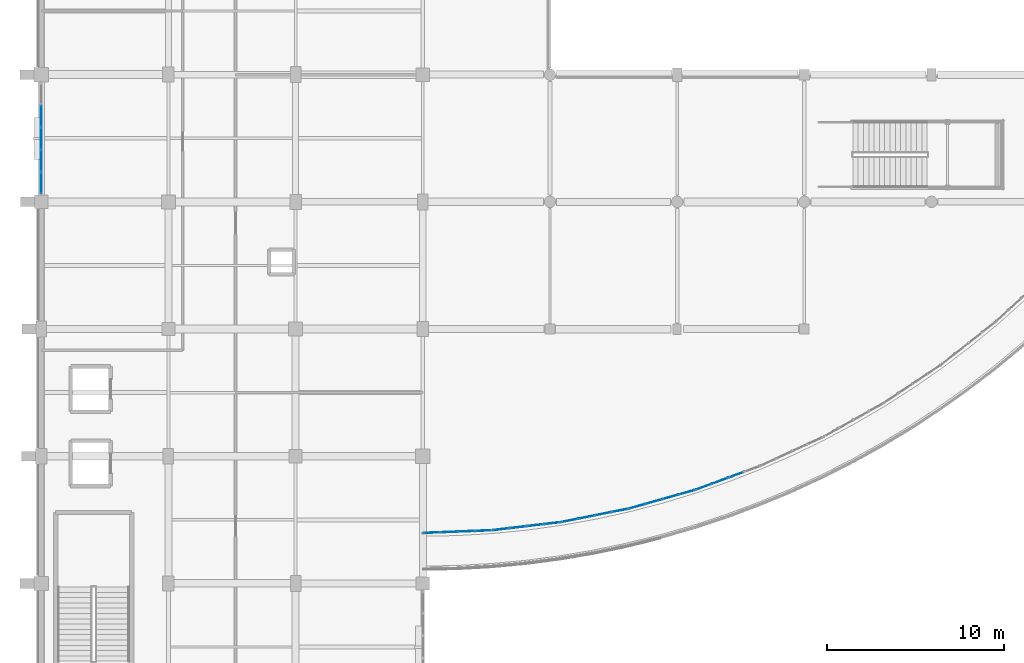
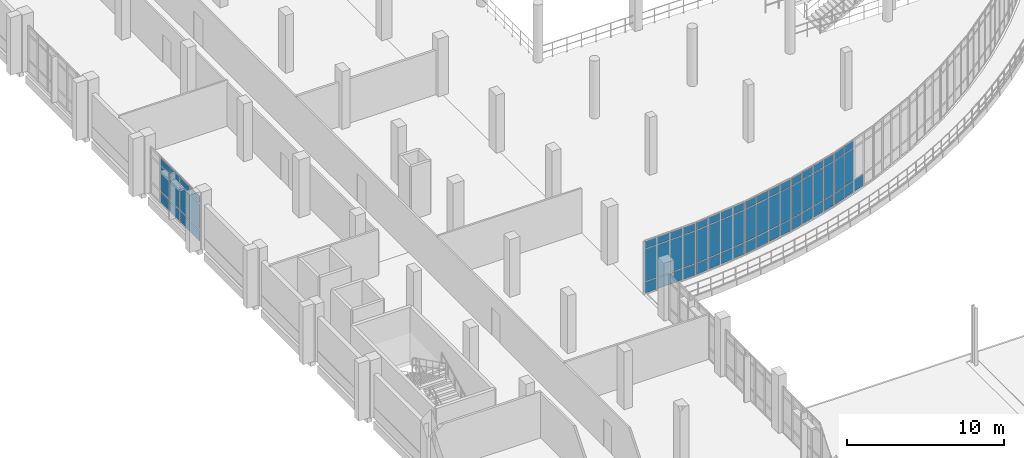
# One storey, part 94 of 134: 67 plates, 6 elements without a shape of their own.
"""IFC4 building model written with IfcOpenShell, lengths in metres."""

from ifc_helpers import new_model, si_unit, direction, frame, origin, origin_2d, place, context, subcontext, project, spatial, rectangle, extrude, material, layer, layer_set, type_object, element, aggregate, save


model = new_model("IFC4")

# Units and contexts
model_context = context("Model", 3, precision=1e-05, world=origin(), true_north=direction((0.0, 1.0)))
body_context = subcontext(model_context, "Body", "Model", "MODEL_VIEW")
ifc_project = project(units=[si_unit("LENGTHUNIT", "METRE"), si_unit("AREAUNIT", "SQUARE_METRE"), si_unit("VOLUMEUNIT", "CUBIC_METRE"), si_unit("PLANEANGLEUNIT", "RADIAN"), si_unit("MASSUNIT", "GRAM", prefix="KILO")], contexts=[model_context])

# Site, building, storey
site_placement = place(None, origin())
site = spatial("IfcSite", under=ifc_project, at=site_placement, CompositionType="ELEMENT")
building_placement = place(site_placement, origin())
building = spatial("IfcBuilding", under=site, at=building_placement, Name="Kalluvel Institute of Natural Sciences", CompositionType="ELEMENT")
storey_placement = place(building_placement, frame((0.0, 0.0, 5.39990234375)))
storey = spatial("IfcBuildingStorey", under=building, at=storey_placement, Name="L01", CompositionType="ELEMENT", Elevation=5.39990234375)

# Curtain wall, plates
ifc_material_1 = material(Name="Aluminium AW-6063 T6", Category="aluminium")
curtain_wall_type_1 = type_object("IfcCurtainWallType", Name="CW-DRY-45", PredefinedType="USERDEFINED", material=ifc_material_1)
curtain_wall_1_placement = place(storey_placement, origin())
curtain_wall_1 = element("IfcCurtainWall", 1, at=curtain_wall_1_placement, inside=storey, type_object=curtain_wall_type_1, Name="L01 Gothic lancet curtain wall CWA-L01-X140-Y720", ObjectType="UNITISED LANCET FACADE", PredefinedType="USERDEFINED")
ifc_material_2 = material(Name="Solar-Control Low-E Laminated Glass", Category="glass")
ifc_layer_1 = layer(ifc_material_2, 0.031982421875)
ifc_layer_set_1 = layer_set([ifc_layer_1], Name="Solar-Control Low-E Laminated Glass")
plate_type_1 = type_object("IfcPlateType", Name="CWP-DGU-32", PredefinedType="CURTAIN_PANEL", material=ifc_layer_set_1)
plate_1_placement = place(storey_placement, frame((14.0, 72.673828125, 0.065185546875), z_axis=(0.0, 0.0, 1.0), x_axis=(0.0, 1.0, 0.0)))
plate_1 = element("IfcPlate", 2, at=plate_1_placement, type_object=plate_type_1, Name="CW-03 panel 1.1", PredefinedType="CURTAIN_PANEL", context=body_context, shape_type="SweptSolid", body=[
    extrude(rectangle(XDim=1.16748046875, YDim=0.031982421875, at=origin_2d()), origin(), (0.0, 0.0, 1.0), 0.8525390625),
])
plate_2_placement = place(storey_placement, frame((14.0, 72.673828125, 0.982666015625), z_axis=(0.0, 0.0, 1.0), x_axis=(0.0, 1.0, 0.0)))
plate_2 = element("IfcPlate", 3, at=plate_2_placement, type_object=plate_type_1, Name="CW-03 panel 1.2", PredefinedType="CURTAIN_PANEL", context=body_context, shape_type="SweptSolid", body=[
    extrude(rectangle(XDim=1.16748046875, YDim=0.031982421875, at=origin_2d()), origin(), (0.0, 0.0, 1.0), 1.955078125),
])
plate_3_placement = place(storey_placement, frame((14.0, 72.673828125, 3.00244140625), z_axis=(0.0, 0.0, 1.0), x_axis=(0.0, 1.0, 0.0)))
plate_3 = element("IfcPlate", 4, at=plate_3_placement, type_object=plate_type_1, Name="CW-03 panel 1.3", PredefinedType="CURTAIN_PANEL", context=body_context, shape_type="SweptSolid", body=[
    extrude(rectangle(XDim=1.16748046875, YDim=0.031982421875, at=origin_2d()), origin(), (0.0, 0.0, 1.0), 0.552490234375),
])
plate_4_placement = place(storey_placement, frame((14.0, 73.922607421875, 0.065185546875), z_axis=(0.0, 0.0, 1.0), x_axis=(0.0, 1.0, 0.0)))
plate_4 = element("IfcPlate", 5, at=plate_4_placement, type_object=plate_type_1, Name="CW-03 panel 2.1", PredefinedType="CURTAIN_PANEL", context=body_context, shape_type="SweptSolid", body=[
    extrude(rectangle(XDim=1.199951171875, YDim=0.031982421875, at=origin_2d()), origin(), (0.0, 0.0, 1.0), 0.8525390625),
])
plate_5_placement = place(storey_placement, frame((14.0, 73.922607421875, 0.982666015625), z_axis=(0.0, 0.0, 1.0), x_axis=(0.0, 1.0, 0.0)))
plate_5 = element("IfcPlate", 6, at=plate_5_placement, type_object=plate_type_1, Name="CW-03 panel 2.2", PredefinedType="CURTAIN_PANEL", context=body_context, shape_type="SweptSolid", body=[
    extrude(rectangle(XDim=1.199951171875, YDim=0.031982421875, at=origin_2d()), origin(), (0.0, 0.0, 1.0), 1.955078125),
])
plate_6_placement = place(storey_placement, frame((14.0, 73.922607421875, 3.00244140625), z_axis=(0.0, 0.0, 1.0), x_axis=(0.0, 1.0, 0.0)))
plate_6 = element("IfcPlate", 7, at=plate_6_placement, type_object=plate_type_1, Name="CW-03 panel 2.3", PredefinedType="CURTAIN_PANEL", context=body_context, shape_type="SweptSolid", body=[
    extrude(rectangle(XDim=1.199951171875, YDim=0.031982421875, at=origin_2d()), origin(), (0.0, 0.0, 1.0), 0.552490234375),
])
plate_7_placement = place(storey_placement, frame((14.0, 75.1875, 0.065185546875), z_axis=(0.0, 0.0, 1.0), x_axis=(0.0, 1.0, 0.0)))
plate_7 = element("IfcPlate", 8, at=plate_7_placement, type_object=plate_type_1, Name="CW-03 panel 3.1", PredefinedType="CURTAIN_PANEL", context=body_context, shape_type="SweptSolid", body=[
    extrude(rectangle(XDim=1.199951171875, YDim=0.031982421875, at=origin_2d()), origin(), (0.0, 0.0, 1.0), 0.8525390625),
])
plate_8_placement = place(storey_placement, frame((14.0, 75.1875, 0.982666015625), z_axis=(0.0, 0.0, 1.0), x_axis=(0.0, 1.0, 0.0)))
plate_8 = element("IfcPlate", 9, at=plate_8_placement, type_object=plate_type_1, Name="CW-03 panel 3.2", PredefinedType="CURTAIN_PANEL", context=body_context, shape_type="SweptSolid", body=[
    extrude(rectangle(XDim=1.199951171875, YDim=0.031982421875, at=origin_2d()), origin(), (0.0, 0.0, 1.0), 1.955078125),
])
plate_9_placement = place(storey_placement, frame((14.0, 75.1875, 3.00244140625), z_axis=(0.0, 0.0, 1.0), x_axis=(0.0, 1.0, 0.0)))
plate_9 = element("IfcPlate", 10, at=plate_9_placement, type_object=plate_type_1, Name="CW-03 panel 3.3", PredefinedType="CURTAIN_PANEL", context=body_context, shape_type="SweptSolid", body=[
    extrude(rectangle(XDim=1.199951171875, YDim=0.031982421875, at=origin_2d()), origin(), (0.0, 0.0, 1.0), 0.552490234375),
])
plate_10_placement = place(storey_placement, frame((14.0, 76.452392578125, 0.065185546875), z_axis=(0.0, 0.0, 1.0), x_axis=(0.0, 1.0, 0.0)))
plate_10 = element("IfcPlate", 11, at=plate_10_placement, type_object=plate_type_1, Name="CW-03 panel 4.1", PredefinedType="CURTAIN_PANEL", context=body_context, shape_type="SweptSolid", body=[
    extrude(rectangle(XDim=1.199951171875, YDim=0.031982421875, at=origin_2d()), origin(), (0.0, 0.0, 1.0), 0.8525390625),
])
plate_11_placement = place(storey_placement, frame((14.0, 76.452392578125, 0.982666015625), z_axis=(0.0, 0.0, 1.0), x_axis=(0.0, 1.0, 0.0)))
plate_11 = element("IfcPlate", 12, at=plate_11_placement, type_object=plate_type_1, Name="CW-03 panel 4.2", PredefinedType="CURTAIN_PANEL", context=body_context, shape_type="SweptSolid", body=[
    extrude(rectangle(XDim=1.199951171875, YDim=0.031982421875, at=origin_2d()), origin(), (0.0, 0.0, 1.0), 1.955078125),
])
plate_12_placement = place(storey_placement, frame((14.0, 76.452392578125, 3.00244140625), z_axis=(0.0, 0.0, 1.0), x_axis=(0.0, 1.0, 0.0)))
plate_12 = element("IfcPlate", 13, at=plate_12_placement, type_object=plate_type_1, Name="CW-03 panel 4.3", PredefinedType="CURTAIN_PANEL", context=body_context, shape_type="SweptSolid", body=[
    extrude(rectangle(XDim=1.199951171875, YDim=0.031982421875, at=origin_2d()), origin(), (0.0, 0.0, 1.0), 0.552490234375),
])
aggregate(curtain_wall_1, [plate_1, plate_2, plate_3, plate_4, plate_5, plate_6, plate_7, plate_8, plate_9, plate_10, plate_11, plate_12])

curtain_wall_type_2 = type_object("IfcCurtainWallType", Name="CW-ATR-ARC", PredefinedType="USERDEFINED", material=ifc_material_1)
curtain_wall_2_placement = place(storey_placement, origin())
curtain_wall_2 = element("IfcCurtainWall", 14, at=curtain_wall_2_placement, inside=storey, type_object=curtain_wall_type_2, Name="L01 Gothic lancet curtain wall CWA-L01-X356-Y528", ObjectType="UNITISED LANCET FACADE", PredefinedType="USERDEFINED")
ifc_layer_2 = layer(ifc_material_2, 0.035888671875)
ifc_layer_set_2 = layer_set([ifc_layer_2], Name="Solar-Control Low-E Laminated Glass")
plate_type_2 = type_object("IfcPlateType", Name="CWP-DGU-36", PredefinedType="CURTAIN_PANEL", material=ifc_layer_set_2)
plate_13_placement = place(storey_placement, frame((36.10498046875, 52.869873046875, 0.06005859375), z_axis=(0.0, 0.0, 1.0), x_axis=(0.999228815466, 0.039265434438, 0.0)))
plate_13 = element("IfcPlate", 15, at=plate_13_placement, type_object=plate_type_2, Name="CW-05 panel 1.1", PredefinedType="CURTAIN_PANEL", context=body_context, shape_type="SweptSolid", body=[
    extrude(rectangle(XDim=0.890625, YDim=0.035888671875, at=origin_2d()), origin(), (0.0, 0.0, 1.0), 0.860107421875),
])
plate_14_placement = place(storey_placement, frame((36.10498046875, 52.869873046875, 0.97998046875), z_axis=(0.0, 0.0, 1.0), x_axis=(0.999228815466, 0.039265434438, 0.0)))
plate_14 = element("IfcPlate", 16, at=plate_14_placement, type_object=plate_type_2, Name="CW-05 panel 1.2", PredefinedType="CURTAIN_PANEL", context=body_context, shape_type="SweptSolid", body=[
    extrude(rectangle(XDim=0.890625, YDim=0.035888671875, at=origin_2d()), origin(), (0.0, 0.0, 1.0), 2.489990234375),
])
plate_15_placement = place(storey_placement, frame((36.10498046875, 52.869873046875, 3.530029296875), z_axis=(0.0, 0.0, 1.0), x_axis=(0.999228815466, 0.039265434438, 0.0)))
plate_15 = element("IfcPlate", 17, at=plate_15_placement, type_object=plate_type_2, Name="CW-05 panel 1.3", PredefinedType="CURTAIN_PANEL", context=body_context, shape_type="SweptSolid", body=[
    extrude(rectangle(XDim=0.890625, YDim=0.035888671875, at=origin_2d()), origin(), (0.0, 0.0, 1.0), 0.56005859375),
])
plate_16_placement = place(storey_placement, frame((37.069580078125, 52.90771484375, 0.06005859375), z_axis=(0.0, 0.0, 1.0), x_axis=(0.999228815466, 0.039265434438, 0.0)))
plate_16 = element("IfcPlate", 18, at=plate_16_placement, type_object=plate_type_2, Name="CW-05 panel 2.1", PredefinedType="CURTAIN_PANEL", context=body_context, shape_type="SweptSolid", body=[
    extrude(rectangle(XDim=0.92041015625, YDim=0.035888671875, at=origin_2d()), origin(), (0.0, 0.0, 1.0), 0.860107421875),
])
plate_17_placement = place(storey_placement, frame((37.069580078125, 52.90771484375, 0.97998046875), z_axis=(0.0, 0.0, 1.0), x_axis=(0.999228815466, 0.039265434438, 0.0)))
plate_17 = element("IfcPlate", 19, at=plate_17_placement, type_object=plate_type_2, Name="CW-05 panel 2.2", PredefinedType="CURTAIN_PANEL", context=body_context, shape_type="SweptSolid", body=[
    extrude(rectangle(XDim=0.92041015625, YDim=0.035888671875, at=origin_2d()), origin(), (0.0, 0.0, 1.0), 2.489990234375),
])
plate_18_placement = place(storey_placement, frame((37.069580078125, 52.90771484375, 3.530029296875), z_axis=(0.0, 0.0, 1.0), x_axis=(0.999228815466, 0.039265434438, 0.0)))
plate_18 = element("IfcPlate", 20, at=plate_18_placement, type_object=plate_type_2, Name="CW-05 panel 2.3", PredefinedType="CURTAIN_PANEL", context=body_context, shape_type="SweptSolid", body=[
    extrude(rectangle(XDim=0.92041015625, YDim=0.035888671875, at=origin_2d()), origin(), (0.0, 0.0, 1.0), 0.56005859375),
])
plate_19_placement = place(storey_placement, frame((38.04931640625, 52.9462890625, 0.06005859375), z_axis=(0.0, 0.0, 1.0), x_axis=(0.999228815466, 0.039265434438, 0.0)))
plate_19 = element("IfcPlate", 21, at=plate_19_placement, type_object=plate_type_2, Name="CW-05 panel 3.1", PredefinedType="CURTAIN_PANEL", context=body_context, shape_type="SweptSolid", body=[
    extrude(rectangle(XDim=0.92041015625, YDim=0.035888671875, at=origin_2d()), origin(), (0.0, 0.0, 1.0), 0.860107421875),
])
plate_20_placement = place(storey_placement, frame((38.04931640625, 52.9462890625, 0.97998046875), z_axis=(0.0, 0.0, 1.0), x_axis=(0.999228815466, 0.039265434438, 0.0)))
plate_20 = element("IfcPlate", 22, at=plate_20_placement, type_object=plate_type_2, Name="CW-05 panel 3.2", PredefinedType="CURTAIN_PANEL", context=body_context, shape_type="SweptSolid", body=[
    extrude(rectangle(XDim=0.92041015625, YDim=0.035888671875, at=origin_2d()), origin(), (0.0, 0.0, 1.0), 2.489990234375),
])
plate_21_placement = place(storey_placement, frame((38.04931640625, 52.9462890625, 3.530029296875), z_axis=(0.0, 0.0, 1.0), x_axis=(0.999228815466, 0.039265434438, 0.0)))
plate_21 = element("IfcPlate", 23, at=plate_21_placement, type_object=plate_type_2, Name="CW-05 panel 3.3", PredefinedType="CURTAIN_PANEL", context=body_context, shape_type="SweptSolid", body=[
    extrude(rectangle(XDim=0.92041015625, YDim=0.035888671875, at=origin_2d()), origin(), (0.0, 0.0, 1.0), 0.56005859375),
])
plate_22_placement = place(storey_placement, frame((39.01416015625, 52.984130859375, 0.06005859375), z_axis=(0.0, 0.0, 1.0), x_axis=(0.999228815466, 0.039265434438, 0.0)))
plate_22 = element("IfcPlate", 24, at=plate_22_placement, type_object=plate_type_2, Name="CW-05 panel 4.1", PredefinedType="CURTAIN_PANEL", context=body_context, shape_type="SweptSolid", body=[
    extrude(rectangle(XDim=0.890625, YDim=0.035888671875, at=origin_2d()), origin(), (0.0, 0.0, 1.0), 0.860107421875),
])
plate_23_placement = place(storey_placement, frame((39.01416015625, 52.984130859375, 0.97998046875), z_axis=(0.0, 0.0, 1.0), x_axis=(0.999228815466, 0.039265434438, 0.0)))
plate_23 = element("IfcPlate", 25, at=plate_23_placement, type_object=plate_type_2, Name="CW-05 panel 4.2", PredefinedType="CURTAIN_PANEL", context=body_context, shape_type="SweptSolid", body=[
    extrude(rectangle(XDim=0.890625, YDim=0.035888671875, at=origin_2d()), origin(), (0.0, 0.0, 1.0), 2.489990234375),
])
plate_24_placement = place(storey_placement, frame((39.01416015625, 52.984130859375, 3.530029296875), z_axis=(0.0, 0.0, 1.0), x_axis=(0.999228815466, 0.039265434438, 0.0)))
plate_24 = element("IfcPlate", 26, at=plate_24_placement, type_object=plate_type_2, Name="CW-05 panel 4.3", PredefinedType="CURTAIN_PANEL", context=body_context, shape_type="SweptSolid", body=[
    extrude(rectangle(XDim=0.890625, YDim=0.035888671875, at=origin_2d()), origin(), (0.0, 0.0, 1.0), 0.56005859375),
])
aggregate(curtain_wall_2, [plate_13, plate_14, plate_15, plate_16, plate_17, plate_18, plate_19, plate_20, plate_21, plate_22, plate_23, plate_24])

curtain_wall_3_placement = place(storey_placement, origin())
curtain_wall_3 = element("IfcCurtainWall", 27, at=curtain_wall_3_placement, inside=storey, type_object=curtain_wall_type_2, Name="L01 Gothic lancet curtain wall CWA-L01-X395-Y530", ObjectType="UNITISED LANCET FACADE", PredefinedType="USERDEFINED")
plate_25_placement = place(storey_placement, frame((40.020751953125, 53.0634765625, 0.06005859375), z_axis=(0.0, 0.0, 1.0), x_axis=(0.993068212734, 0.117539460852, 0.0)))
plate_25 = element("IfcPlate", 28, at=plate_25_placement, type_object=plate_type_2, Name="CW-05 panel 1.1", PredefinedType="CURTAIN_PANEL", context=body_context, shape_type="SweptSolid", body=[
    extrude(rectangle(XDim=0.890625, YDim=0.035888671875, at=origin_2d()), origin(), (0.0, 0.0, 1.0), 0.860107421875),
])
plate_26_placement = place(storey_placement, frame((40.020751953125, 53.0634765625, 0.97998046875), z_axis=(0.0, 0.0, 1.0), x_axis=(0.993068212734, 0.117539460852, 0.0)))
plate_26 = element("IfcPlate", 29, at=plate_26_placement, type_object=plate_type_2, Name="CW-05 panel 1.2", PredefinedType="CURTAIN_PANEL", context=body_context, shape_type="SweptSolid", body=[
    extrude(rectangle(XDim=0.890625, YDim=0.035888671875, at=origin_2d()), origin(), (0.0, 0.0, 1.0), 2.489990234375),
])
plate_27_placement = place(storey_placement, frame((40.020751953125, 53.0634765625, 3.530029296875), z_axis=(0.0, 0.0, 1.0), x_axis=(0.993068212734, 0.117539460852, 0.0)))
plate_27 = element("IfcPlate", 30, at=plate_27_placement, type_object=plate_type_2, Name="CW-05 panel 1.3", PredefinedType="CURTAIN_PANEL", context=body_context, shape_type="SweptSolid", body=[
    extrude(rectangle(XDim=0.890625, YDim=0.035888671875, at=origin_2d()), origin(), (0.0, 0.0, 1.0), 0.56005859375),
])
plate_28_placement = place(storey_placement, frame((40.9794921875, 53.1767578125, 0.06005859375), z_axis=(0.0, 0.0, 1.0), x_axis=(0.993068212734, 0.117539460852, 0.0)))
plate_28 = element("IfcPlate", 31, at=plate_28_placement, type_object=plate_type_2, Name="CW-05 panel 2.1", PredefinedType="CURTAIN_PANEL", context=body_context, shape_type="SweptSolid", body=[
    extrude(rectangle(XDim=0.92041015625, YDim=0.035888671875, at=origin_2d()), origin(), (0.0, 0.0, 1.0), 0.860107421875),
])
plate_29_placement = place(storey_placement, frame((40.9794921875, 53.1767578125, 0.97998046875), z_axis=(0.0, 0.0, 1.0), x_axis=(0.993068212734, 0.117539460852, 0.0)))
plate_29 = element("IfcPlate", 32, at=plate_29_placement, type_object=plate_type_2, Name="CW-05 panel 2.2", PredefinedType="CURTAIN_PANEL", context=body_context, shape_type="SweptSolid", body=[
    extrude(rectangle(XDim=0.92041015625, YDim=0.035888671875, at=origin_2d()), origin(), (0.0, 0.0, 1.0), 2.489990234375),
])
plate_30_placement = place(storey_placement, frame((40.9794921875, 53.1767578125, 3.530029296875), z_axis=(0.0, 0.0, 1.0), x_axis=(0.993068212734, 0.117539460852, 0.0)))
plate_30 = element("IfcPlate", 33, at=plate_30_placement, type_object=plate_type_2, Name="CW-05 panel 2.3", PredefinedType="CURTAIN_PANEL", context=body_context, shape_type="SweptSolid", body=[
    extrude(rectangle(XDim=0.92041015625, YDim=0.035888671875, at=origin_2d()), origin(), (0.0, 0.0, 1.0), 0.56005859375),
])
plate_31_placement = place(storey_placement, frame((41.953369140625, 53.292236328125, 0.06005859375), z_axis=(0.0, 0.0, 1.0), x_axis=(0.993068212734, 0.117539460852, 0.0)))
plate_31 = element("IfcPlate", 34, at=plate_31_placement, type_object=plate_type_2, Name="CW-05 panel 3.1", PredefinedType="CURTAIN_PANEL", context=body_context, shape_type="SweptSolid", body=[
    extrude(rectangle(XDim=0.92041015625, YDim=0.035888671875, at=origin_2d()), origin(), (0.0, 0.0, 1.0), 0.860107421875),
])
plate_32_placement = place(storey_placement, frame((41.953369140625, 53.292236328125, 0.97998046875), z_axis=(0.0, 0.0, 1.0), x_axis=(0.993068212734, 0.117539460852, 0.0)))
plate_32 = element("IfcPlate", 35, at=plate_32_placement, type_object=plate_type_2, Name="CW-05 panel 3.2", PredefinedType="CURTAIN_PANEL", context=body_context, shape_type="SweptSolid", body=[
    extrude(rectangle(XDim=0.92041015625, YDim=0.035888671875, at=origin_2d()), origin(), (0.0, 0.0, 1.0), 2.489990234375),
])
plate_33_placement = place(storey_placement, frame((41.953369140625, 53.292236328125, 3.530029296875), z_axis=(0.0, 0.0, 1.0), x_axis=(0.993068212734, 0.117539460852, 0.0)))
plate_33 = element("IfcPlate", 36, at=plate_33_placement, type_object=plate_type_2, Name="CW-05 panel 3.3", PredefinedType="CURTAIN_PANEL", context=body_context, shape_type="SweptSolid", body=[
    extrude(rectangle(XDim=0.92041015625, YDim=0.035888671875, at=origin_2d()), origin(), (0.0, 0.0, 1.0), 0.56005859375),
])
plate_34_placement = place(storey_placement, frame((42.912109375, 53.405517578125, 0.06005859375), z_axis=(0.0, 0.0, 1.0), x_axis=(0.993068212734, 0.117539460852, 0.0)))
plate_34 = element("IfcPlate", 37, at=plate_34_placement, type_object=plate_type_2, Name="CW-05 panel 4.1", PredefinedType="CURTAIN_PANEL", context=body_context, shape_type="SweptSolid", body=[
    extrude(rectangle(XDim=0.890625, YDim=0.035888671875, at=origin_2d()), origin(), (0.0, 0.0, 1.0), 0.860107421875),
])
plate_35_placement = place(storey_placement, frame((42.912109375, 53.405517578125, 0.97998046875), z_axis=(0.0, 0.0, 1.0), x_axis=(0.993068212734, 0.117539460852, 0.0)))
plate_35 = element("IfcPlate", 38, at=plate_35_placement, type_object=plate_type_2, Name="CW-05 panel 4.2", PredefinedType="CURTAIN_PANEL", context=body_context, shape_type="SweptSolid", body=[
    extrude(rectangle(XDim=0.890625, YDim=0.035888671875, at=origin_2d()), origin(), (0.0, 0.0, 1.0), 2.489990234375),
])
plate_36_placement = place(storey_placement, frame((42.912109375, 53.405517578125, 3.530029296875), z_axis=(0.0, 0.0, 1.0), x_axis=(0.993068212734, 0.117539460852, 0.0)))
plate_36 = element("IfcPlate", 39, at=plate_36_placement, type_object=plate_type_2, Name="CW-05 panel 4.3", PredefinedType="CURTAIN_PANEL", context=body_context, shape_type="SweptSolid", body=[
    extrude(rectangle(XDim=0.890625, YDim=0.035888671875, at=origin_2d()), origin(), (0.0, 0.0, 1.0), 0.56005859375),
])
aggregate(curtain_wall_3, [plate_25, plate_26, plate_27, plate_28, plate_29, plate_30, plate_31, plate_32, plate_33, plate_34, plate_35, plate_36])

curtain_wall_4_placement = place(storey_placement, origin())
curtain_wall_4 = element("IfcCurtainWall", 40, at=curtain_wall_4_placement, inside=storey, type_object=curtain_wall_type_2, Name="L01 Gothic lancet curtain wall CWA-L01-X434-Y535", ObjectType="UNITISED LANCET FACADE", PredefinedType="USERDEFINED")
plate_37_placement = place(storey_placement, frame((43.909423828125, 53.5634765625, 0.06005859375), z_axis=(0.0, 0.0, 1.0), x_axis=(0.980788022263, 0.195076537251, 0.0)))
plate_37 = element("IfcPlate", 41, at=plate_37_placement, type_object=plate_type_2, Name="CW-05 panel 1.1", PredefinedType="CURTAIN_PANEL", context=body_context, shape_type="SweptSolid", body=[
    extrude(rectangle(XDim=0.890625, YDim=0.035888671875, at=origin_2d()), origin(), (0.0, 0.0, 1.0), 0.860107421875),
])
plate_38_placement = place(storey_placement, frame((43.909423828125, 53.5634765625, 0.97998046875), z_axis=(0.0, 0.0, 1.0), x_axis=(0.980788022263, 0.195076537251, 0.0)))
plate_38 = element("IfcPlate", 42, at=plate_38_placement, type_object=plate_type_2, Name="CW-05 panel 1.2", PredefinedType="CURTAIN_PANEL", context=body_context, shape_type="SweptSolid", body=[
    extrude(rectangle(XDim=0.890625, YDim=0.035888671875, at=origin_2d()), origin(), (0.0, 0.0, 1.0), 2.489990234375),
])
plate_39_placement = place(storey_placement, frame((43.909423828125, 53.5634765625, 3.530029296875), z_axis=(0.0, 0.0, 1.0), x_axis=(0.980788022263, 0.195076537251, 0.0)))
plate_39 = element("IfcPlate", 43, at=plate_39_placement, type_object=plate_type_2, Name="CW-05 panel 1.3", PredefinedType="CURTAIN_PANEL", context=body_context, shape_type="SweptSolid", body=[
    extrude(rectangle(XDim=0.890625, YDim=0.035888671875, at=origin_2d()), origin(), (0.0, 0.0, 1.0), 0.56005859375),
])
plate_40_placement = place(storey_placement, frame((44.8564453125, 53.751953125, 0.06005859375), z_axis=(0.0, 0.0, 1.0), x_axis=(0.980788022263, 0.195076537251, 0.0)))
plate_40 = element("IfcPlate", 44, at=plate_40_placement, type_object=plate_type_2, Name="CW-05 panel 2.1", PredefinedType="CURTAIN_PANEL", context=body_context, shape_type="SweptSolid", body=[
    extrude(rectangle(XDim=0.92041015625, YDim=0.035888671875, at=origin_2d()), origin(), (0.0, 0.0, 1.0), 0.860107421875),
])
plate_41_placement = place(storey_placement, frame((44.8564453125, 53.751953125, 0.97998046875), z_axis=(0.0, 0.0, 1.0), x_axis=(0.980788022263, 0.195076537251, 0.0)))
plate_41 = element("IfcPlate", 45, at=plate_41_placement, type_object=plate_type_2, Name="CW-05 panel 2.2", PredefinedType="CURTAIN_PANEL", context=body_context, shape_type="SweptSolid", body=[
    extrude(rectangle(XDim=0.92041015625, YDim=0.035888671875, at=origin_2d()), origin(), (0.0, 0.0, 1.0), 2.489990234375),
])
plate_42_placement = place(storey_placement, frame((44.8564453125, 53.751953125, 3.530029296875), z_axis=(0.0, 0.0, 1.0), x_axis=(0.980788022263, 0.195076537251, 0.0)))
plate_42 = element("IfcPlate", 46, at=plate_42_placement, type_object=plate_type_2, Name="CW-05 panel 2.3", PredefinedType="CURTAIN_PANEL", context=body_context, shape_type="SweptSolid", body=[
    extrude(rectangle(XDim=0.92041015625, YDim=0.035888671875, at=origin_2d()), origin(), (0.0, 0.0, 1.0), 0.56005859375),
])
plate_43_placement = place(storey_placement, frame((45.818115234375, 53.943115234375, 0.06005859375), z_axis=(0.0, 0.0, 1.0), x_axis=(0.980788022263, 0.195076537251, 0.0)))
plate_43 = element("IfcPlate", 47, at=plate_43_placement, type_object=plate_type_2, Name="CW-05 panel 3.1", PredefinedType="CURTAIN_PANEL", context=body_context, shape_type="SweptSolid", body=[
    extrude(rectangle(XDim=0.92041015625, YDim=0.035888671875, at=origin_2d()), origin(), (0.0, 0.0, 1.0), 0.860107421875),
])
plate_44_placement = place(storey_placement, frame((45.818115234375, 53.943115234375, 0.97998046875), z_axis=(0.0, 0.0, 1.0), x_axis=(0.980788022263, 0.195076537251, 0.0)))
plate_44 = element("IfcPlate", 48, at=plate_44_placement, type_object=plate_type_2, Name="CW-05 panel 3.2", PredefinedType="CURTAIN_PANEL", context=body_context, shape_type="SweptSolid", body=[
    extrude(rectangle(XDim=0.92041015625, YDim=0.035888671875, at=origin_2d()), origin(), (0.0, 0.0, 1.0), 2.489990234375),
])
plate_45_placement = place(storey_placement, frame((45.818115234375, 53.943115234375, 3.530029296875), z_axis=(0.0, 0.0, 1.0), x_axis=(0.980788022263, 0.195076537251, 0.0)))
plate_45 = element("IfcPlate", 49, at=plate_45_placement, type_object=plate_type_2, Name="CW-05 panel 3.3", PredefinedType="CURTAIN_PANEL", context=body_context, shape_type="SweptSolid", body=[
    extrude(rectangle(XDim=0.92041015625, YDim=0.035888671875, at=origin_2d()), origin(), (0.0, 0.0, 1.0), 0.56005859375),
])
plate_46_placement = place(storey_placement, frame((46.76513671875, 54.131591796875, 0.06005859375), z_axis=(0.0, 0.0, 1.0), x_axis=(0.980788022263, 0.195076537251, 0.0)))
plate_46 = element("IfcPlate", 50, at=plate_46_placement, type_object=plate_type_2, Name="CW-05 panel 4.1", PredefinedType="CURTAIN_PANEL", context=body_context, shape_type="SweptSolid", body=[
    extrude(rectangle(XDim=0.890625, YDim=0.035888671875, at=origin_2d()), origin(), (0.0, 0.0, 1.0), 0.860107421875),
])
plate_47_placement = place(storey_placement, frame((46.76513671875, 54.131591796875, 0.97998046875), z_axis=(0.0, 0.0, 1.0), x_axis=(0.980788022263, 0.195076537251, 0.0)))
plate_47 = element("IfcPlate", 51, at=plate_47_placement, type_object=plate_type_2, Name="CW-05 panel 4.2", PredefinedType="CURTAIN_PANEL", context=body_context, shape_type="SweptSolid", body=[
    extrude(rectangle(XDim=0.890625, YDim=0.035888671875, at=origin_2d()), origin(), (0.0, 0.0, 1.0), 2.489990234375),
])
plate_48_placement = place(storey_placement, frame((46.76513671875, 54.131591796875, 3.530029296875), z_axis=(0.0, 0.0, 1.0), x_axis=(0.980788022263, 0.195076537251, 0.0)))
plate_48 = element("IfcPlate", 52, at=plate_48_placement, type_object=plate_type_2, Name="CW-05 panel 4.3", PredefinedType="CURTAIN_PANEL", context=body_context, shape_type="SweptSolid", body=[
    extrude(rectangle(XDim=0.890625, YDim=0.035888671875, at=origin_2d()), origin(), (0.0, 0.0, 1.0), 0.56005859375),
])
aggregate(curtain_wall_4, [plate_37, plate_38, plate_39, plate_40, plate_41, plate_42, plate_43, plate_44, plate_45, plate_46, plate_47, plate_48])

curtain_wall_5_placement = place(storey_placement, origin())
curtain_wall_5 = element("IfcCurtainWall", 53, at=curtain_wall_5_placement, inside=storey, type_object=curtain_wall_type_2, Name="L01 Gothic lancet curtain wall CWA-L01-X473-Y542", ObjectType="UNITISED LANCET FACADE", PredefinedType="USERDEFINED")
plate_49_placement = place(storey_placement, frame((47.746826171875, 54.3671875, 0.06005859375), z_axis=(0.0, 0.0, 1.0), x_axis=(0.962455483212, 0.271439574924, 0.0)))
plate_49 = element("IfcPlate", 54, at=plate_49_placement, type_object=plate_type_2, Name="CW-05 panel 1.1", PredefinedType="CURTAIN_PANEL", context=body_context, shape_type="SweptSolid", body=[
    extrude(rectangle(XDim=0.890625, YDim=0.035888671875, at=origin_2d()), origin(), (0.0, 0.0, 1.0), 0.860107421875),
])
plate_50_placement = place(storey_placement, frame((47.746826171875, 54.3671875, 0.97998046875), z_axis=(0.0, 0.0, 1.0), x_axis=(0.962455483212, 0.271439574924, 0.0)))
plate_50 = element("IfcPlate", 55, at=plate_50_placement, type_object=plate_type_2, Name="CW-05 panel 1.2", PredefinedType="CURTAIN_PANEL", context=body_context, shape_type="SweptSolid", body=[
    extrude(rectangle(XDim=0.890625, YDim=0.035888671875, at=origin_2d()), origin(), (0.0, 0.0, 1.0), 2.489990234375),
])
plate_51_placement = place(storey_placement, frame((47.746826171875, 54.3671875, 3.530029296875), z_axis=(0.0, 0.0, 1.0), x_axis=(0.962455483212, 0.271439574924, 0.0)))
plate_51 = element("IfcPlate", 56, at=plate_51_placement, type_object=plate_type_2, Name="CW-05 panel 1.3", PredefinedType="CURTAIN_PANEL", context=body_context, shape_type="SweptSolid", body=[
    extrude(rectangle(XDim=0.890625, YDim=0.035888671875, at=origin_2d()), origin(), (0.0, 0.0, 1.0), 0.56005859375),
])
plate_52_placement = place(storey_placement, frame((48.67626953125, 54.62939453125, 0.06005859375), z_axis=(0.0, 0.0, 1.0), x_axis=(0.962455483212, 0.271439574924, 0.0)))
plate_52 = element("IfcPlate", 57, at=plate_52_placement, type_object=plate_type_2, Name="CW-05 panel 2.1", PredefinedType="CURTAIN_PANEL", context=body_context, shape_type="SweptSolid", body=[
    extrude(rectangle(XDim=0.92041015625, YDim=0.035888671875, at=origin_2d()), origin(), (0.0, 0.0, 1.0), 0.860107421875),
])
plate_53_placement = place(storey_placement, frame((48.67626953125, 54.62939453125, 0.97998046875), z_axis=(0.0, 0.0, 1.0), x_axis=(0.962455483212, 0.271439574924, 0.0)))
plate_53 = element("IfcPlate", 58, at=plate_53_placement, type_object=plate_type_2, Name="CW-05 panel 2.2", PredefinedType="CURTAIN_PANEL", context=body_context, shape_type="SweptSolid", body=[
    extrude(rectangle(XDim=0.92041015625, YDim=0.035888671875, at=origin_2d()), origin(), (0.0, 0.0, 1.0), 2.489990234375),
])
plate_54_placement = place(storey_placement, frame((48.67626953125, 54.62939453125, 3.530029296875), z_axis=(0.0, 0.0, 1.0), x_axis=(0.962455483212, 0.271439574924, 0.0)))
plate_54 = element("IfcPlate", 59, at=plate_54_placement, type_object=plate_type_2, Name="CW-05 panel 2.3", PredefinedType="CURTAIN_PANEL", context=body_context, shape_type="SweptSolid", body=[
    extrude(rectangle(XDim=0.92041015625, YDim=0.035888671875, at=origin_2d()), origin(), (0.0, 0.0, 1.0), 0.56005859375),
])
plate_55_placement = place(storey_placement, frame((49.619873046875, 54.8955078125, 0.06005859375), z_axis=(0.0, 0.0, 1.0), x_axis=(0.962455483212, 0.271439574924, 0.0)))
plate_55 = element("IfcPlate", 60, at=plate_55_placement, type_object=plate_type_2, Name="CW-05 panel 3.1", PredefinedType="CURTAIN_PANEL", context=body_context, shape_type="SweptSolid", body=[
    extrude(rectangle(XDim=0.92041015625, YDim=0.035888671875, at=origin_2d()), origin(), (0.0, 0.0, 1.0), 0.860107421875),
])
plate_56_placement = place(storey_placement, frame((49.619873046875, 54.8955078125, 0.97998046875), z_axis=(0.0, 0.0, 1.0), x_axis=(0.962455483212, 0.271439574924, 0.0)))
plate_56 = element("IfcPlate", 61, at=plate_56_placement, type_object=plate_type_2, Name="CW-05 panel 3.2", PredefinedType="CURTAIN_PANEL", context=body_context, shape_type="SweptSolid", body=[
    extrude(rectangle(XDim=0.92041015625, YDim=0.035888671875, at=origin_2d()), origin(), (0.0, 0.0, 1.0), 2.489990234375),
])
plate_57_placement = place(storey_placement, frame((49.619873046875, 54.8955078125, 3.530029296875), z_axis=(0.0, 0.0, 1.0), x_axis=(0.962455483212, 0.271439574924, 0.0)))
plate_57 = element("IfcPlate", 62, at=plate_57_placement, type_object=plate_type_2, Name="CW-05 panel 3.3", PredefinedType="CURTAIN_PANEL", context=body_context, shape_type="SweptSolid", body=[
    extrude(rectangle(XDim=0.92041015625, YDim=0.035888671875, at=origin_2d()), origin(), (0.0, 0.0, 1.0), 0.56005859375),
])
plate_58_placement = place(storey_placement, frame((50.549072265625, 55.157470703125, 0.06005859375), z_axis=(0.0, 0.0, 1.0), x_axis=(0.962455483212, 0.271439574924, 0.0)))
plate_58 = element("IfcPlate", 63, at=plate_58_placement, type_object=plate_type_2, Name="CW-05 panel 4.1", PredefinedType="CURTAIN_PANEL", context=body_context, shape_type="SweptSolid", body=[
    extrude(rectangle(XDim=0.890625, YDim=0.035888671875, at=origin_2d()), origin(), (0.0, 0.0, 1.0), 0.860107421875),
])
plate_59_placement = place(storey_placement, frame((50.549072265625, 55.157470703125, 0.97998046875), z_axis=(0.0, 0.0, 1.0), x_axis=(0.962455483212, 0.271439574924, 0.0)))
plate_59 = element("IfcPlate", 64, at=plate_59_placement, type_object=plate_type_2, Name="CW-05 panel 4.2", PredefinedType="CURTAIN_PANEL", context=body_context, shape_type="SweptSolid", body=[
    extrude(rectangle(XDim=0.890625, YDim=0.035888671875, at=origin_2d()), origin(), (0.0, 0.0, 1.0), 2.489990234375),
])
plate_60_placement = place(storey_placement, frame((50.549072265625, 55.157470703125, 3.530029296875), z_axis=(0.0, 0.0, 1.0), x_axis=(0.962455483212, 0.271439574924, 0.0)))
plate_60 = element("IfcPlate", 65, at=plate_60_placement, type_object=plate_type_2, Name="CW-05 panel 4.3", PredefinedType="CURTAIN_PANEL", context=body_context, shape_type="SweptSolid", body=[
    extrude(rectangle(XDim=0.890625, YDim=0.035888671875, at=origin_2d()), origin(), (0.0, 0.0, 1.0), 0.56005859375),
])
aggregate(curtain_wall_5, [plate_49, plate_50, plate_51, plate_52, plate_53, plate_54, plate_55, plate_56, plate_57, plate_58, plate_59, plate_60])

curtain_wall_6_placement = place(storey_placement, origin())
curtain_wall_6 = element("IfcCurtainWall", 66, at=curtain_wall_6_placement, inside=storey, type_object=curtain_wall_type_2, Name="L01 Gothic lancet curtain wall CWA-L01-X510-Y553", ObjectType="UNITISED LANCET FACADE", PredefinedType="USERDEFINED")
plate_61_placement = place(storey_placement, frame((51.509521484375, 55.469482421875, 0.06005859375), z_axis=(0.0, 0.0, 1.0), x_axis=(0.938189357766, 0.346122419058, 0.0)))
plate_61 = element("IfcPlate", 67, at=plate_61_placement, type_object=plate_type_2, Name="CW-05 panel 1.1", PredefinedType="CURTAIN_PANEL", context=body_context, shape_type="SweptSolid", body=[
    extrude(rectangle(XDim=0.890625, YDim=0.035888671875, at=origin_2d()), origin(), (0.0, 0.0, 1.0), 0.860107421875),
])
plate_62_placement = place(storey_placement, frame((51.509521484375, 55.469482421875, 0.97998046875), z_axis=(0.0, 0.0, 1.0), x_axis=(0.938189357766, 0.346122419058, 0.0)))
plate_62 = element("IfcPlate", 68, at=plate_62_placement, type_object=plate_type_2, Name="CW-05 panel 1.2", PredefinedType="CURTAIN_PANEL", context=body_context, shape_type="SweptSolid", body=[
    extrude(rectangle(XDim=0.890625, YDim=0.035888671875, at=origin_2d()), origin(), (0.0, 0.0, 1.0), 2.489990234375),
])
plate_63_placement = place(storey_placement, frame((51.509521484375, 55.469482421875, 3.530029296875), z_axis=(0.0, 0.0, 1.0), x_axis=(0.938189357766, 0.346122419058, 0.0)))
plate_63 = element("IfcPlate", 69, at=plate_63_placement, type_object=plate_type_2, Name="CW-05 panel 1.3", PredefinedType="CURTAIN_PANEL", context=body_context, shape_type="SweptSolid", body=[
    extrude(rectangle(XDim=0.890625, YDim=0.035888671875, at=origin_2d()), origin(), (0.0, 0.0, 1.0), 0.56005859375),
])
plate_64_placement = place(storey_placement, frame((52.415283203125, 55.8037109375, 0.06005859375), z_axis=(0.0, 0.0, 1.0), x_axis=(0.938189357766, 0.346122419058, 0.0)))
plate_64 = element("IfcPlate", 70, at=plate_64_placement, type_object=plate_type_2, Name="CW-05 panel 2.1", PredefinedType="CURTAIN_PANEL", context=body_context, shape_type="SweptSolid", body=[
    extrude(rectangle(XDim=0.92041015625, YDim=0.035888671875, at=origin_2d()), origin(), (0.0, 0.0, 1.0), 0.860107421875),
])
plate_65_placement = place(storey_placement, frame((52.415283203125, 55.8037109375, 0.97998046875), z_axis=(0.0, 0.0, 1.0), x_axis=(0.938189357766, 0.346122419058, 0.0)))
plate_65 = element("IfcPlate", 71, at=plate_65_placement, type_object=plate_type_2, Name="CW-05 panel 2.2", PredefinedType="CURTAIN_PANEL", context=body_context, shape_type="SweptSolid", body=[
    extrude(rectangle(XDim=0.92041015625, YDim=0.035888671875, at=origin_2d()), origin(), (0.0, 0.0, 1.0), 2.489990234375),
])
plate_66_placement = place(storey_placement, frame((52.415283203125, 55.8037109375, 3.530029296875), z_axis=(0.0, 0.0, 1.0), x_axis=(0.938189357766, 0.346122419058, 0.0)))
plate_66 = element("IfcPlate", 72, at=plate_66_placement, type_object=plate_type_2, Name="CW-05 panel 2.3", PredefinedType="CURTAIN_PANEL", context=body_context, shape_type="SweptSolid", body=[
    extrude(rectangle(XDim=0.92041015625, YDim=0.035888671875, at=origin_2d()), origin(), (0.0, 0.0, 1.0), 0.56005859375),
])
plate_67_placement = place(storey_placement, frame((53.335205078125, 56.14306640625, 0.06005859375), z_axis=(0.0, 0.0, 1.0), x_axis=(0.938189357766, 0.346122419058, 0.0)))
plate_67 = element("IfcPlate", 73, at=plate_67_placement, type_object=plate_type_2, Name="CW-05 panel 3.1", PredefinedType="CURTAIN_PANEL", context=body_context, shape_type="SweptSolid", body=[
    extrude(rectangle(XDim=0.92041015625, YDim=0.035888671875, at=origin_2d()), origin(), (0.0, 0.0, 1.0), 0.860107421875),
])
aggregate(curtain_wall_6, [plate_61, plate_62, plate_63, plate_64, plate_65, plate_66, plate_67])

save(model, "model.ifc")
